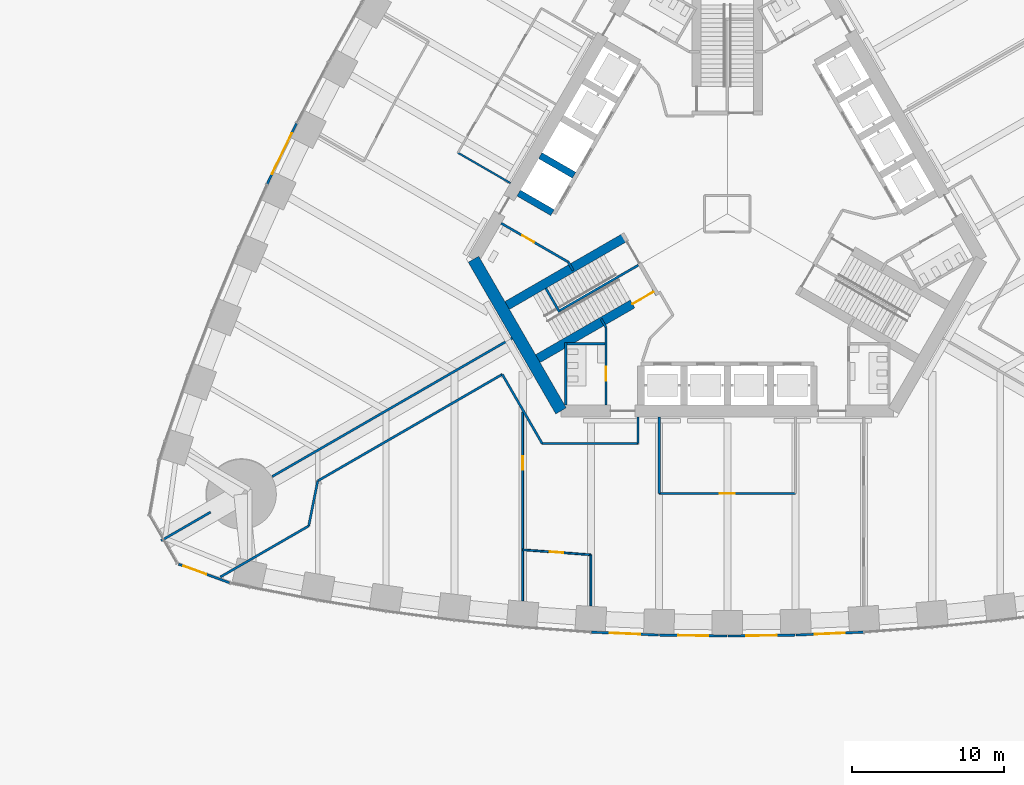
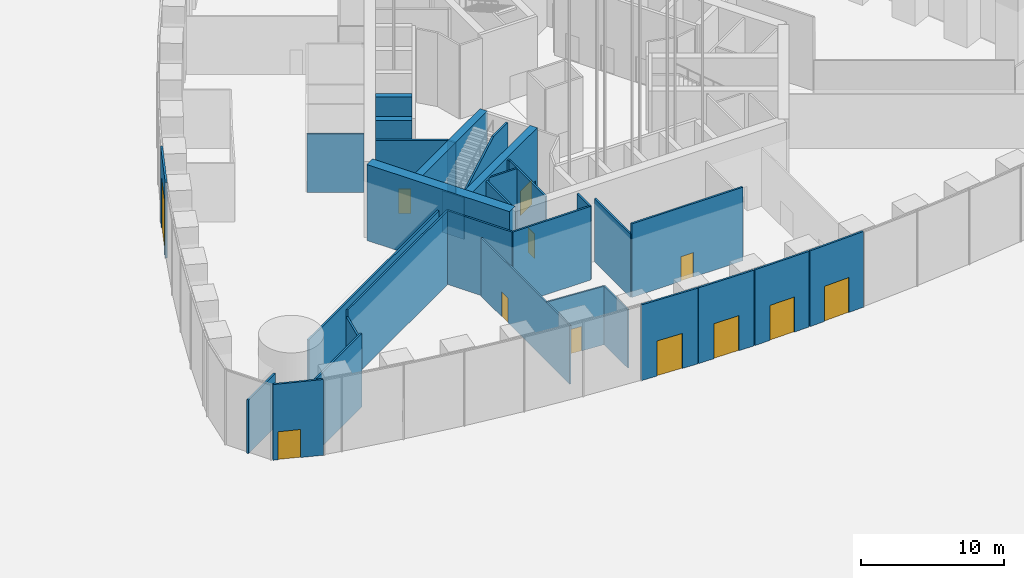
# One storey, part 16 of 43: 33 walls, 12 doors, 12 openings.
"""IFC4 building model written with IfcOpenShell, lengths in metres."""

from ifc_helpers import new_model, si_unit, direction, frame, frame_2d, origin, place, context, subcontext, project, spatial, polyline, rectangle, outline, extrude, material, layer, layer_set, type_object, element, fill, save


model = new_model("IFC4")

# Units and contexts
model_context = context("Model", 3, precision=1e-05, world=origin(), true_north=direction((0.0, 1.0)))
body_context = subcontext(model_context, "Body", "Model", "MODEL_VIEW")
ifc_project = project(units=[si_unit("LENGTHUNIT", "METRE"), si_unit("AREAUNIT", "SQUARE_METRE"), si_unit("VOLUMEUNIT", "CUBIC_METRE"), si_unit("PLANEANGLEUNIT", "RADIAN"), si_unit("MASSUNIT", "GRAM", prefix="KILO")], contexts=[model_context])

# Site, building, storey
site_placement = place(None, origin())
site = spatial("IfcSite", under=ifc_project, at=site_placement, CompositionType="ELEMENT")
building_placement = place(site_placement, origin())
building = spatial("IfcBuilding", under=site, at=building_placement, Name="Trefoil Bronze Tower", CompositionType="ELEMENT")
storey_placement = place(building_placement, origin())
storey = spatial("IfcBuildingStorey", under=building, at=storey_placement, Name="L00", CompositionType="ELEMENT", Elevation=0.0)

# Wall
ifc_material_1 = material(Name="Concrete B80", Category="concrete")
ifc_layer_1 = layer(ifc_material_1, 0.800048828125)
ifc_layer_set_1 = layer_set([ifc_layer_1], Name="Core wall 800")
wall_type_1 = type_object("IfcWallType", Name="Core wall 800", PredefinedType="SHEAR", material=ifc_layer_set_1)
wall_1_placement = place(storey_placement, frame((-16.7431640625, -3.0, 0.0), z_axis=(0.0, 0.0, 1.0), x_axis=(0.499995765644, -0.866027848477, 0.0)))
element("IfcWall", 1, at=wall_1_placement, inside=storey, type_object=wall_type_1, Name="Core short wall 3 L00", PredefinedType="SHEAR", context=body_context, shape_type="SweptSolid", body=[
    extrude(rectangle(XDim=11.546875, YDim=0.800048828125, at=frame_2d((5.7734375, 0.0))), origin(), (0.0, 0.0, 1.0), 6.5),
])

# Wall, opening, door
ifc_material_2 = material(Name="Bronze-framed glazed screen", Category="glass")
ifc_layer_2 = layer(ifc_material_2, 0.14990234375)
ifc_layer_set_2 = layer_set([ifc_layer_2], Name="Entrance screen 150")
wall_type_2 = type_object("IfcWallType", Name="Entrance screen 150", PredefinedType="SOLIDWALL", material=ifc_layer_set_2)
wall_2_placement = place(storey_placement, frame((-8.969482421875, -27.5888671875, 0.0), z_axis=(0.0, 0.0, 1.0), x_axis=(0.999053663589, -0.043494565978, 0.0)))
wall_2 = element("IfcWall", 2, at=wall_2_placement, inside=storey, type_object=wall_type_2, Name="Entrance screen CW-C L00 F1 bay 2", PredefinedType="SOLIDWALL", context=body_context, shape_type="SweptSolid", body=[
    extrude(rectangle(XDim=4.434326171875, YDim=0.14990234375, at=frame_2d((2.21728515625, 0.0))), origin(), (0.0, 0.0, 1.0), 6.47998046875),
])
opening_1_placement = place(wall_2_placement, frame((1.217041015625, 0.0, 0.0)))
opening_1 = element("IfcOpeningElement", 3, at=opening_1_placement, cuts=wall_2, Name="Opening DE1", PredefinedType="OPENING", context=body_context, shape_type="SweptSolid", body=[
    extrude(rectangle(XDim=2.0, YDim=3.0, at=frame_2d((1.0, 1.5))), frame((0.0, 0.0849609375, 0.0), z_axis=(0.0, -1.0, 0.0), x_axis=(1.0, 0.0, 0.0)), (0.0, 0.0, 1.0), 0.169921875),
])
ifc_material_3 = material(Name="Bronze-framed glass door", Category="glass")
door_type_1 = type_object("IfcDoorType", Name="Entrance door 2000", OperationType="DOUBLE_DOOR_DOUBLE_SWING", PredefinedType="DOOR", material=ifc_material_3)
door_1_placement = place(opening_1_placement, origin())
door_1 = element("IfcDoor", 4, at=door_1_placement, inside=storey, type_object=door_type_1, Name="Entrance door F1 L00", OperationType="DOUBLE_DOOR_DOUBLE_SWING", OverallHeight=3.0, OverallWidth=2.0, PredefinedType="DOOR", context=body_context, shape_type="SweptSolid", body=[
    extrude(rectangle(XDim=2.0, YDim=3.0, at=frame_2d((1.0, 1.5))), frame((0.0, 0.02490234375, 0.0), z_axis=(0.0, -1.0, 0.0), x_axis=(1.0, 0.0, 0.0)), (0.0, 0.0, 1.0), 0.050048828125),
])
fill(opening_1, door_1)

wall_3_placement = place(storey_placement, frame((-4.466552734375, -27.783935546875, 0.0), z_axis=(0.0, 0.0, 1.0), x_axis=(0.999894985015, -0.014492030258, 0.0)))
wall_3 = element("IfcWall", 5, at=wall_3_placement, inside=storey, type_object=wall_type_2, Name="Entrance screen CW-C L00 F1 bay 3", PredefinedType="SOLIDWALL", context=body_context, shape_type="SweptSolid", body=[
    extrude(rectangle(XDim=4.4306640625, YDim=0.14990234375, at=frame_2d((2.21533203125, 0.0))), origin(), (0.0, 0.0, 1.0), 6.47998046875),
])
opening_2_placement = place(wall_3_placement, frame((1.21533203125, 0.0, 0.0)))
opening_2 = element("IfcOpeningElement", 6, at=opening_2_placement, cuts=wall_3, Name="Opening DE1", PredefinedType="OPENING", context=body_context, shape_type="SweptSolid", body=[
    extrude(rectangle(XDim=2.0, YDim=3.0, at=frame_2d((1.0, 1.5))), frame((0.0, 0.0849609375, 0.0), z_axis=(0.0, -1.0, 0.0), x_axis=(1.0, 0.0, 0.0)), (0.0, 0.0, 1.0), 0.169921875),
])
door_2_placement = place(opening_2_placement, origin())
door_2 = element("IfcDoor", 7, at=door_2_placement, inside=storey, type_object=door_type_1, Name="Entrance door F1 L00", OperationType="DOUBLE_DOOR_DOUBLE_SWING", OverallHeight=3.0, OverallWidth=2.0, PredefinedType="DOOR", context=body_context, shape_type="SweptSolid", body=[
    extrude(rectangle(XDim=2.0, YDim=3.0, at=frame_2d((1.0, 1.5))), frame((0.0, 0.02490234375, 0.0), z_axis=(0.0, -1.0, 0.0), x_axis=(1.0, 0.0, 0.0)), (0.0, 0.0, 1.0), 0.050048828125),
])
fill(opening_2, door_2)

wall_4_placement = place(storey_placement, frame((0.036376953125, -27.84814453125, 0.0), z_axis=(0.0, 0.0, 1.0), x_axis=(0.999894985015, 0.014492030258, 0.0)))
wall_4 = element("IfcWall", 8, at=wall_4_placement, inside=storey, type_object=wall_type_2, Name="Entrance screen CW-C L00 F1 bay 4", PredefinedType="SOLIDWALL", context=body_context, shape_type="SweptSolid", body=[
    extrude(rectangle(XDim=4.4306640625, YDim=0.14990234375, at=frame_2d((2.21533203125, 0.0))), origin(), (0.0, 0.0, 1.0), 6.47998046875),
])
opening_3_placement = place(wall_4_placement, frame((1.21533203125, 0.0, 0.0)))
opening_3 = element("IfcOpeningElement", 9, at=opening_3_placement, cuts=wall_4, Name="Opening DE1", PredefinedType="OPENING", context=body_context, shape_type="SweptSolid", body=[
    extrude(rectangle(XDim=2.0, YDim=3.0, at=frame_2d((1.0, 1.5))), frame((0.0, 0.0849609375, 0.0), z_axis=(0.0, -1.0, 0.0), x_axis=(1.0, 0.0, 0.0)), (0.0, 0.0, 1.0), 0.169921875),
])
door_3_placement = place(opening_3_placement, origin())
door_3 = element("IfcDoor", 10, at=door_3_placement, inside=storey, type_object=door_type_1, Name="Entrance door F1 L00", OperationType="DOUBLE_DOOR_DOUBLE_SWING", OverallHeight=3.0, OverallWidth=2.0, PredefinedType="DOOR", context=body_context, shape_type="SweptSolid", body=[
    extrude(rectangle(XDim=2.0, YDim=3.0, at=frame_2d((1.0, 1.5))), frame((0.0, 0.02490234375, 0.0), z_axis=(0.0, -1.0, 0.0), x_axis=(1.0, 0.0, 0.0)), (0.0, 0.0, 1.0), 0.050048828125),
])
fill(opening_3, door_3)

wall_5_placement = place(storey_placement, frame((4.539306640625, -27.78173828125, 0.0), z_axis=(0.0, 0.0, 1.0), x_axis=(0.999053663589, 0.043494565978, 0.0)))
wall_5 = element("IfcWall", 11, at=wall_5_placement, inside=storey, type_object=wall_type_2, Name="Entrance screen CW-C L00 F1 bay 5", PredefinedType="SOLIDWALL", context=body_context, shape_type="SweptSolid", body=[
    extrude(rectangle(XDim=4.434326171875, YDim=0.14990234375, at=frame_2d((2.21728515625, 0.0))), origin(), (0.0, 0.0, 1.0), 6.47998046875),
])
opening_4_placement = place(wall_5_placement, frame((1.217041015625, 0.0, 0.0)))
opening_4 = element("IfcOpeningElement", 12, at=opening_4_placement, cuts=wall_5, Name="Opening DE1", PredefinedType="OPENING", context=body_context, shape_type="SweptSolid", body=[
    extrude(rectangle(XDim=2.0, YDim=3.0, at=frame_2d((1.0, 1.5))), frame((0.0, 0.0849609375, 0.0), z_axis=(0.0, -1.0, 0.0), x_axis=(1.0, 0.0, 0.0)), (0.0, 0.0, 1.0), 0.169921875),
])
door_4_placement = place(opening_4_placement, origin())
door_4 = element("IfcDoor", 13, at=door_4_placement, inside=storey, type_object=door_type_1, Name="Entrance door F1 L00", OperationType="DOUBLE_DOOR_DOUBLE_SWING", OverallHeight=3.0, OverallWidth=2.0, PredefinedType="DOOR", context=body_context, shape_type="SweptSolid", body=[
    extrude(rectangle(XDim=2.0, YDim=3.0, at=frame_2d((1.0, 1.5))), frame((0.0, 0.02490234375, 0.0), z_axis=(0.0, -1.0, 0.0), x_axis=(1.0, 0.0, 0.0)), (0.0, 0.0, 1.0), 0.050048828125),
])
fill(opening_4, door_4)

wall_6_placement = place(storey_placement, frame((-28.409912109375, 5.96142578125, 0.0), z_axis=(0.0, 0.0, 1.0), x_axis=(-0.435876976458, -0.900006256308, 0.0)))
wall_6 = element("IfcWall", 14, at=wall_6_placement, inside=storey, type_object=wall_type_2, Name="Entrance screen CW-C L00 F3 bay 4", PredefinedType="SOLIDWALL", context=body_context, shape_type="SweptSolid", body=[
    extrude(rectangle(XDim=4.441650390625, YDim=0.14990234375, at=frame_2d((2.220703125, 0.0))), origin(), (0.0, 0.0, 1.0), 6.47998046875),
])
opening_5_placement = place(wall_6_placement, frame((0.720947265625, 0.0, 0.0)))
opening_5 = element("IfcOpeningElement", 15, at=opening_5_placement, cuts=wall_6, Name="Opening DS1", PredefinedType="OPENING", context=body_context, shape_type="SweptSolid", body=[
    extrude(rectangle(XDim=3.0, YDim=4.5, at=frame_2d((1.5, 2.25))), frame((0.0, 0.0849609375, 0.0), z_axis=(0.0, -1.0, 0.0), x_axis=(1.0, 0.0, 0.0)), (0.0, 0.0, 1.0), 0.169921875),
])
ifc_material_4 = material(Name="Steel roller shutter", Category="steel")
door_type_2 = type_object("IfcDoorType", Name="Loading shutter 3000", OperationType="USERDEFINED", PredefinedType="USERDEFINED", material=ifc_material_4)
door_5_placement = place(opening_5_placement, origin())
door_5 = element("IfcDoor", 16, at=door_5_placement, inside=storey, type_object=door_type_2, Name="Loading shutter F3 L00", ObjectType="ROLLER SHUTTER", OperationType="USERDEFINED", OverallHeight=4.5, OverallWidth=3.0, PredefinedType="USERDEFINED", context=body_context, shape_type="SweptSolid", body=[
    extrude(rectangle(XDim=3.0, YDim=4.5, at=frame_2d((1.5, 2.25))), frame((0.0, 0.02490234375, 0.0), z_axis=(0.0, -1.0, 0.0), x_axis=(1.0, 0.0, 0.0)), (0.0, 0.0, 1.0), 0.050048828125),
])
fill(opening_5, door_5)

wall_7_placement = place(storey_placement, frame((-36.19189453125, -23.10693359375, 0.0), z_axis=(0.0, 0.0, 1.0), x_axis=(0.939683806401, -0.342044359678, 0.0)))
wall_7 = element("IfcWall", 17, at=wall_7_placement, inside=storey, type_object=wall_type_2, Name="Entrance screen CW-B L00 K3 exit bay", PredefinedType="SOLIDWALL", context=body_context, shape_type="SweptSolid", body=[
    extrude(rectangle(XDim=3.578125, YDim=0.14990234375, at=frame_2d((1.7890625, 0.0))), origin(), (0.0, 0.0, 1.0), 6.47998046875),
])
opening_6_placement = place(wall_7_placement, frame((0.35009765625, 0.0, 0.0)))
opening_6 = element("IfcOpeningElement", 18, at=opening_6_placement, cuts=wall_7, Name="Opening DE4", PredefinedType="OPENING", context=body_context, shape_type="SweptSolid", body=[
    extrude(rectangle(XDim=1.60009765625, YDim=2.39990234375, at=frame_2d((0.800048828125, 1.199951171875))), frame((0.0, 0.0849609375, 0.0), z_axis=(0.0, -1.0, 0.0), x_axis=(1.0, 0.0, 0.0)), (0.0, 0.0, 1.0), 0.169921875),
])
ifc_material_5 = material(Name="Bronze-framed glass door", Category="glass")
door_type_3 = type_object("IfcDoorType", Name="Final exit door 1600", OperationType="DOUBLE_DOOR_SINGLE_SWING", PredefinedType="DOOR", material=ifc_material_5)
door_6_placement = place(opening_6_placement, frame((1.60009765625, 0.0, 0.0), z_axis=(0.0, 0.0, 1.0), x_axis=(-1.0, 0.0, 0.0)))
door_6 = element("IfcDoor", 19, at=door_6_placement, inside=storey, type_object=door_type_3, Name="Final exit door ST3", OperationType="DOUBLE_DOOR_SINGLE_SWING", OverallHeight=2.39990234375, OverallWidth=1.60009765625, PredefinedType="DOOR", context=body_context, shape_type="SweptSolid", body=[
    extrude(rectangle(XDim=1.60009765625, YDim=2.39990234375, at=frame_2d((0.800048828125, 1.199951171875))), frame((0.0, 0.02490234375, 0.0), z_axis=(0.0, -1.0, 0.0), x_axis=(1.0, 0.0, 0.0)), (0.0, 0.0, 1.0), 0.050048828125),
])
fill(opening_6, door_6)

# Wall
ifc_material_6 = material(Name="Gypsum board on steel studs", Category="steel")
ifc_layer_3 = layer(ifc_material_6, 0.14990234375)
ifc_layer_set_3 = layer_set([ifc_layer_3], Name="Fire partition 150")
wall_type_3 = type_object("IfcWallType", Name="Fire partition 150", PredefinedType="PARTITIONING", material=ifc_layer_set_3)
wall_8_placement = place(storey_placement, frame((-4.5, -13.39990234375, 0.0), z_axis=(0.0, 0.0, 1.0), x_axis=(0.0, -1.0, 0.0)))
element("IfcWall", 20, at=wall_8_placement, inside=storey, type_object=wall_type_3, Name="Fire command centre wall", PredefinedType="PARTITIONING", context=body_context, shape_type="SweptSolid", body=[
    extrude(rectangle(XDim=5.050048828125, YDim=0.14990234375, at=frame_2d((2.52490234375, 0.0))), origin(), (0.0, 0.0, 1.0), 5.39990234375),
])

# Wall, opening, door
wall_9_placement = place(storey_placement, frame((-4.5, -18.449951171875, 0.0), z_axis=(0.0, 0.0, 1.0), x_axis=(1.0, 0.0, 0.0)))
wall_9 = element("IfcWall", 21, at=wall_9_placement, inside=storey, type_object=wall_type_3, Name="Fire command centre wall", PredefinedType="PARTITIONING", context=body_context, shape_type="SweptSolid", body=[
    extrude(rectangle(XDim=9.0, YDim=0.14990234375, at=frame_2d((4.5, 0.0))), origin(), (0.0, 0.0, 1.0), 6.300048828125),
])
opening_7_placement = place(wall_9_placement, frame((4.0, 0.0, 0.0)))
opening_7 = element("IfcOpeningElement", 22, at=opening_7_placement, cuts=wall_9, Name="Opening D5", PredefinedType="OPENING", context=body_context, shape_type="SweptSolid", body=[
    extrude(rectangle(XDim=1.0, YDim=2.10009765625, at=frame_2d((0.5, 1.050048828125))), frame((0.0, 0.0849609375, 0.0), z_axis=(0.0, -1.0, 0.0), x_axis=(1.0, 0.0, 0.0)), (0.0, 0.0, 1.0), 0.169921875),
])
ifc_material_7 = material(Name="Steel door", Category="steel")
door_type_4 = type_object("IfcDoorType", Name="Fire command centre door 1000", OperationType="SINGLE_SWING_LEFT", PredefinedType="DOOR", material=ifc_material_7)
door_7_placement = place(opening_7_placement, origin())
door_7 = element("IfcDoor", 23, at=door_7_placement, inside=storey, type_object=door_type_4, Name="Fire command centre door", OperationType="SINGLE_SWING_LEFT", OverallHeight=2.10009765625, OverallWidth=1.0, PredefinedType="DOOR", context=body_context, shape_type="SweptSolid", body=[
    extrude(rectangle(XDim=1.0, YDim=2.10009765625, at=frame_2d((0.5, 1.050048828125))), frame((0.0, 0.02490234375, 0.0), z_axis=(0.0, -1.0, 0.0), x_axis=(1.0, 0.0, 0.0)), (0.0, 0.0, 1.0), 0.050048828125),
])
fill(opening_7, door_7)

# Walls
wall_10_placement = place(storey_placement, frame((-5.867431640625, -3.387451171875, 0.0), z_axis=(0.0, 0.0, 1.0), x_axis=(-0.866014108153, -0.500019564097, 0.0)))
element("IfcWall", 24, at=wall_10_placement, inside=storey, type_object=wall_type_3, Name="Basement stair partition ST3", PredefinedType="PARTITIONING", context=body_context, shape_type="SweptSolid", body=[
    extrude(outline(polyline([(0.0, 0.0), (5.974853515625, 0.0), (5.97509765625, 4.013916015625), (1.9658203125, 6.300048828125), (0.0, 6.300048828125), (0.0, 0.0)])), frame((0.0, 0.074951171875, 0.0), z_axis=(0.0, -1.0, 0.0), x_axis=(1.0, 0.0, 0.0)), (0.0, 0.0, 1.0), 0.14990234375),
])
wall_11_placement = place(storey_placement, frame((-11.96923828125, -4.918701171875, 0.0), z_axis=(0.0, 0.0, 1.0), x_axis=(0.499961193289, -0.866047807691, 0.0)))
element("IfcWall", 25, at=wall_11_placement, inside=storey, type_object=wall_type_3, Name="Basement stair partition ST3", PredefinedType="PARTITIONING", context=body_context, shape_type="SweptSolid", body=[
    extrude(rectangle(XDim=1.800048828125, YDim=0.14990234375, at=frame_2d((0.89990234375, 0.0))), origin(), (0.0, 0.0, 1.0), 3.57470703125),
])
wall_12_placement = place(storey_placement, frame((-5.89990234375, -13.39990234375, 0.0), z_axis=(0.0, 0.0, 1.0), x_axis=(0.0, -1.0, 0.0)))
element("IfcWall", 26, at=wall_12_placement, inside=storey, type_object=wall_type_3, Name="Exit passage wall ST3", PredefinedType="PARTITIONING", context=body_context, shape_type="SweptSolid", body=[
    extrude(rectangle(XDim=1.75, YDim=0.14990234375, at=frame_2d((0.875, 0.0))), origin(), (0.0, 0.0, 1.0), 6.300048828125),
])
wall_13_placement = place(storey_placement, frame((-5.89990234375, -15.14990234375, 0.0), z_axis=(0.0, 0.0, 1.0), x_axis=(-1.0, 0.0, 0.0)))
element("IfcWall", 27, at=wall_13_placement, inside=storey, type_object=wall_type_3, Name="Exit passage wall ST3", PredefinedType="PARTITIONING", context=body_context, shape_type="SweptSolid", body=[
    extrude(rectangle(XDim=6.31103515625, YDim=0.14990234375, at=frame_2d((3.155517578125, 0.0))), origin(), (0.0, 0.0, 1.0), 6.300048828125),
])
wall_14_placement = place(storey_placement, frame((-12.2109375, -15.14990234375, 0.0), z_axis=(0.0, 0.0, 1.0), x_axis=(-0.499999433879, 0.866025730634, 0.0)))
element("IfcWall", 28, at=wall_14_placement, inside=storey, type_object=wall_type_3, Name="Exit passage wall ST3", PredefinedType="PARTITIONING", context=body_context, shape_type="SweptSolid", body=[
    extrude(rectangle(XDim=5.2646484375, YDim=0.14990234375, at=frame_2d((2.63232421875, 0.0))), origin(), (0.0, 0.0, 1.0), 6.300048828125),
])
wall_15_placement = place(storey_placement, frame((-14.84326171875, -10.590576171875, 0.0), z_axis=(0.0, 0.0, 1.0), x_axis=(-0.86602961784, -0.499992700971, 0.0)))
element("IfcWall", 29, at=wall_15_placement, inside=storey, type_object=wall_type_3, Name="Exit passage wall ST3", PredefinedType="PARTITIONING", context=body_context, shape_type="SweptSolid", body=[
    extrude(rectangle(XDim=14.050048828125, YDim=0.14990234375, at=frame_2d((7.02490234375, 0.0))), origin(), (0.0, 0.0, 1.0), 6.300048828125),
])
wall_16_placement = place(storey_placement, frame((-27.010986328125, -17.615478515625, 0.0), z_axis=(0.0, 0.0, 1.0), x_axis=(-0.196255629336, -0.980552766532, 0.0)))
element("IfcWall", 30, at=wall_16_placement, inside=storey, type_object=wall_type_3, Name="Exit passage wall ST3", PredefinedType="PARTITIONING", context=body_context, shape_type="SweptSolid", body=[
    extrude(rectangle(XDim=3.029052734375, YDim=0.14990234375, at=frame_2d((1.5146484375, 0.0))), origin(), (0.0, 0.0, 1.0), 5.699951171875),
])
wall_17_placement = place(storey_placement, frame((-27.60546875, -20.585693359375, 0.0), z_axis=(0.0, 0.0, 1.0), x_axis=(-0.866029136921, -0.499993533961, 0.0)))
element("IfcWall", 31, at=wall_17_placement, inside=storey, type_object=wall_type_3, Name="Exit passage wall ST3", PredefinedType="PARTITIONING", context=body_context, shape_type="SweptSolid", body=[
    extrude(rectangle(XDim=6.73046875, YDim=0.14990234375, at=frame_2d((3.365234375, 0.0))), origin(), (0.0, 0.0, 1.0), 6.300048828125),
])

# Wall, opening, door
ifc_material_8 = material(Name="Glazed partition", Category="glass")
ifc_layer_4 = layer(ifc_material_8, 0.1201171875)
ifc_layer_set_4 = layer_set([ifc_layer_4], Name="Glazed partition 120")
wall_type_4 = type_object("IfcWallType", Name="Glazed partition 120", PredefinedType="PARTITIONING", material=ifc_layer_set_4)
wall_18_placement = place(storey_placement, frame((-13.5, -22.159912109375, 0.0), z_axis=(0.0, 0.0, 1.0), x_axis=(0.997363894896, -0.072562119306, 0.0)))
wall_18 = element("IfcWall", 32, at=wall_18_placement, inside=storey, type_object=wall_type_4, Name="Partition F1 L00", PredefinedType="PARTITIONING", context=body_context, shape_type="SweptSolid", body=[
    extrude(rectangle(XDim=4.511962890625, YDim=0.1201171875, at=frame_2d((2.255859375, 0.0))), origin(), (0.0, 0.0, 1.0), 5.0),
])
opening_8_placement = place(wall_18_placement, frame((1.800048828125, 0.0, 0.0)))
opening_8 = element("IfcOpeningElement", 33, at=opening_8_placement, cuts=wall_18, Name="Opening D8", PredefinedType="OPENING", context=body_context, shape_type="SweptSolid", body=[
    extrude(rectangle(XDim=0.89990234375, YDim=2.10009765625, at=frame_2d((0.449951171875, 1.050048828125))), frame((0.0, 0.070068359375, 0.0), z_axis=(0.0, -1.0, 0.0), x_axis=(1.0, 0.0, 0.0)), (0.0, 0.0, 1.0), 0.14013671875),
])
ifc_material_9 = material(Name="Timber door", Category="wood")
door_type_5 = type_object("IfcDoorType", Name="Office door 900", OperationType="SINGLE_SWING_LEFT", PredefinedType="DOOR", material=ifc_material_9)
door_8_placement = place(opening_8_placement, frame((0.89990234375, 0.0, 0.0), z_axis=(0.0, 0.0, 1.0), x_axis=(-1.0, 0.0, 0.0)))
door_8 = element("IfcDoor", 34, at=door_8_placement, inside=storey, type_object=door_type_5, Name="Security control room door F1 L00", OperationType="SINGLE_SWING_RIGHT", OverallHeight=2.10009765625, OverallWidth=0.89990234375, PredefinedType="DOOR", context=body_context, shape_type="SweptSolid", body=[
    extrude(rectangle(XDim=0.89990234375, YDim=2.10009765625, at=frame_2d((0.449951171875, 1.050048828125))), frame((0.0, 0.02490234375, 0.0), z_axis=(0.0, -1.0, 0.0), x_axis=(1.0, 0.0, 0.0)), (0.0, 0.0, 1.0), 0.050048828125),
])
fill(opening_8, door_8)

wall_19_placement = place(storey_placement, frame((-13.5, -13.08740234375, 0.0), z_axis=(0.0, 0.0, 1.0), x_axis=(0.0, -1.0, 0.0)))
wall_19 = element("IfcWall", 35, at=wall_19_placement, inside=storey, type_object=wall_type_4, Name="Partition F1 L00", PredefinedType="PARTITIONING", context=body_context, shape_type="SweptSolid", body=[
    extrude(rectangle(XDim=12.4365234375, YDim=0.1201171875, at=frame_2d((6.21826171875, 0.0))), origin(), (0.0, 0.0, 1.0), 5.0),
])
opening_9_placement = place(wall_19_placement, frame((2.89990234375, 0.0, 0.0)))
opening_9 = element("IfcOpeningElement", 36, at=opening_9_placement, cuts=wall_19, Name="Opening D8", PredefinedType="OPENING", context=body_context, shape_type="SweptSolid", body=[
    extrude(rectangle(XDim=0.89990234375, YDim=2.10009765625, at=frame_2d((0.449951171875, 1.050048828125))), frame((0.0, 0.070068359375, 0.0), z_axis=(0.0, -1.0, 0.0), x_axis=(1.0, 0.0, 0.0)), (0.0, 0.0, 1.0), 0.14013671875),
])
door_9_placement = place(opening_9_placement, frame((0.89990234375, 0.0, 0.0), z_axis=(0.0, 0.0, 1.0), x_axis=(-1.0, 0.0, 0.0)))
door_9 = element("IfcDoor", 37, at=door_9_placement, inside=storey, type_object=door_type_5, Name="Building management office door F1 L00", OperationType="SINGLE_SWING_RIGHT", OverallHeight=2.10009765625, OverallWidth=0.89990234375, PredefinedType="DOOR", context=body_context, shape_type="SweptSolid", body=[
    extrude(rectangle(XDim=0.89990234375, YDim=2.10009765625, at=frame_2d((0.449951171875, 1.050048828125))), frame((0.0, 0.02490234375, 0.0), z_axis=(0.0, -1.0, 0.0), x_axis=(1.0, 0.0, 0.0)), (0.0, 0.0, 1.0), 0.050048828125),
])
fill(opening_9, door_9)

# Walls
wall_20_placement = place(storey_placement, frame((-9.0, -22.4873046875, 0.0), z_axis=(0.0, 0.0, 1.0), x_axis=(0.0, -1.0, 0.0)))
element("IfcWall", 38, at=wall_20_placement, inside=storey, type_object=wall_type_4, Name="Partition F1 L00", PredefinedType="PARTITIONING", context=body_context, shape_type="SweptSolid", body=[
    extrude(rectangle(XDim=3.367431640625, YDim=0.1201171875, at=frame_2d((1.68359375, 0.0))), origin(), (0.0, 0.0, 1.0), 5.0),
])
wall_21_placement = place(storey_placement, frame((-14.3046875, 2.0234375, 0.0), z_axis=(0.0, 0.0, 1.0), x_axis=(-0.866026010844, 0.49999894854, 0.0)))
element("IfcWall", 39, at=wall_21_placement, inside=storey, type_object=wall_type_4, Name="Partition F3 L00", PredefinedType="PARTITIONING", context=body_context, shape_type="SweptSolid", body=[
    extrude(rectangle(XDim=4.0, YDim=0.1201171875, at=frame_2d((2.0, 0.0))), origin(), (0.0, 0.0, 1.0), 5.0),
])
ifc_material_10 = material(Name="Concrete B80", Category="concrete")
ifc_layer_5 = layer(ifc_material_10, 0.449951171875)
ifc_layer_set_5 = layer_set([ifc_layer_5], Name="Outrigger shaft wall 450")
wall_type_5 = type_object("IfcWallType", Name="Outrigger shaft wall 450", PredefinedType="SHEAR", material=ifc_layer_set_5)
for number, where, z_axis, x_axis, name in (
    (40, (-10.10693359375, 2.54443359375, 0.0), (0.0, 0.0, 1.0), (-0.866046643894, 0.499963209246, 0.0), "Lift shaft side wall C3 L00"),
    (41, (-11.531982421875, 0.076171875, 0.0), (0.0, 0.0, 1.0), (-0.866005588531, 0.500034319456, 0.0), "Lift shaft side wall C4 L00"),
):
    element("IfcWall", number, at=place(storey_placement, frame(where, z_axis=z_axis, x_axis=x_axis)), inside=storey, type_object=wall_type_5, Name=name, PredefinedType="SHEAR", context=body_context, shape_type="SweptSolid", body=[
        extrude(rectangle(XDim=2.574951171875, YDim=0.449951171875, at=frame_2d((1.28759765625, 0.0))), origin(), (0.0, 0.0, 1.0), 6.5),
    ])

# Wall, opening, door
ifc_material_11 = material(Name="Gypsum board on steel studs", Category="steel")
ifc_layer_6 = layer(ifc_material_11, 0.14990234375)
ifc_layer_set_6 = layer_set([ifc_layer_6], Name="Partition 150")
wall_type_6 = type_object("IfcWallType", Name="Partition 150", PredefinedType="PARTITIONING", material=ifc_layer_set_6)
wall_22_placement = place(storey_placement, frame((-8.0, -7.5, 0.0), z_axis=(0.0, 0.0, 1.0), x_axis=(0.0, -1.0, 0.0)))
wall_22 = element("IfcWall", 42, at=wall_22_placement, inside=storey, type_object=wall_type_6, Name="Passage wall F1- L00", PredefinedType="PARTITIONING", context=body_context, shape_type="SweptSolid", body=[
    extrude(rectangle(XDim=5.10009765625, YDim=0.14990234375, at=frame_2d((2.550048828125, 0.0))), origin(), (0.0, 0.0, 1.0), 6.300048828125),
])
opening_10_placement = place(wall_22_placement, frame((2.60009765625, 0.0, 0.0)))
opening_10 = element("IfcOpeningElement", 43, at=opening_10_placement, cuts=wall_22, Name="Opening D3", PredefinedType="OPENING", context=body_context, shape_type="SweptSolid", body=[
    extrude(rectangle(XDim=0.89990234375, YDim=2.10009765625, at=frame_2d((0.449951171875, 1.050048828125))), frame((0.0, 0.0849609375, 0.0), z_axis=(0.0, -1.0, 0.0), x_axis=(1.0, 0.0, 0.0)), (0.0, 0.0, 1.0), 0.169921875),
])
ifc_material_12 = material(Name="Timber door", Category="wood")
door_type_6 = type_object("IfcDoorType", Name="WC door 900", OperationType="SINGLE_SWING_LEFT", PredefinedType="DOOR", material=ifc_material_12)
door_10_placement = place(opening_10_placement, frame((0.89990234375, 0.0, 0.0), z_axis=(0.0, 0.0, 1.0), x_axis=(-1.0, 0.0, 0.0)))
door_10 = element("IfcDoor", 44, at=door_10_placement, inside=storey, type_object=door_type_6, Name="WC (women) door L00", OperationType="SINGLE_SWING_RIGHT", OverallHeight=2.10009765625, OverallWidth=0.89990234375, PredefinedType="DOOR", context=body_context, shape_type="SweptSolid", body=[
    extrude(rectangle(XDim=0.89990234375, YDim=2.10009765625, at=frame_2d((0.449951171875, 1.050048828125))), frame((0.0, 0.02490234375, 0.0), z_axis=(0.0, -1.0, 0.0), x_axis=(1.0, 0.0, 0.0)), (0.0, 0.0, 1.0), 0.050048828125),
])
fill(opening_10, door_10)

wall_23_placement = place(storey_placement, frame((-10.4951171875, -3.17822265625, 0.0), z_axis=(0.0, 0.0, 1.0), x_axis=(-0.86602216432, 0.500005610874, 0.0)))
wall_23 = element("IfcWall", 45, at=wall_23_placement, inside=storey, type_object=wall_type_6, Name="Passage wall F3+ L00", PredefinedType="PARTITIONING", context=body_context, shape_type="SweptSolid", body=[
    extrude(rectangle(XDim=5.10009765625, YDim=0.14990234375, at=frame_2d((2.550048828125, 0.0))), origin(), (0.0, 0.0, 1.0), 6.300048828125),
])
opening_11_placement = place(wall_23_placement, frame((2.60009765625, 0.0, 0.0)))
opening_11 = element("IfcOpeningElement", 46, at=opening_11_placement, cuts=wall_23, Name="Opening D3", PredefinedType="OPENING", context=body_context, shape_type="SweptSolid", body=[
    extrude(rectangle(XDim=0.89990234375, YDim=2.10009765625, at=frame_2d((0.449951171875, 1.050048828125))), frame((0.0, 0.0849609375, 0.0), z_axis=(0.0, -1.0, 0.0), x_axis=(1.0, 0.0, 0.0)), (0.0, 0.0, 1.0), 0.169921875),
])
door_11_placement = place(opening_11_placement, origin())
door_11 = element("IfcDoor", 47, at=door_11_placement, inside=storey, type_object=door_type_6, Name="Accessible WC door L00", OperationType="SINGLE_SWING_RIGHT", OverallHeight=2.10009765625, OverallWidth=0.89990234375, PredefinedType="DOOR", context=body_context, shape_type="SweptSolid", body=[
    extrude(rectangle(XDim=0.89990234375, YDim=2.10009765625, at=frame_2d((0.449951171875, 1.050048828125))), frame((0.0, 0.02490234375, 0.0), z_axis=(0.0, -1.0, 0.0), x_axis=(1.0, 0.0, 0.0)), (0.0, 0.0, 1.0), 0.050048828125),
])
fill(opening_11, door_11)

# Walls
for number, where, z_axis, x_axis, name in (
    (48, (-10.4951171875, -3.17822265625, 0.0), (0.0, 0.0, 1.0), (0.499842556608, -0.866116284689, 0.0), "WC wall ST3-1 L00"),
    (49, (-8.0, -7.5, 0.0), (0.0, 0.0, 1.0), (-0.499842556608, 0.866116284689, 0.0), "WC wall ST3+1 L00"),
):
    element("IfcWall", number, at=place(storey_placement, frame(where, z_axis=z_axis, x_axis=x_axis)), inside=storey, type_object=wall_type_6, Name=name, PredefinedType="PARTITIONING", context=body_context, shape_type="SweptSolid", body=[
        extrude(rectangle(XDim=0.645263671875, YDim=0.14990234375, at=frame_2d((0.32275390625, 0.0))), origin(), (0.0, 0.0, 1.0), 6.300048828125),
    ])
wall_24_placement = place(storey_placement, frame((-10.659912109375, -8.5, 0.0), z_axis=(0.0, 0.0, 1.0), x_axis=(0.0, -1.0, 0.0)))
element("IfcWall", 50, at=wall_24_placement, inside=storey, type_object=wall_type_6, Name="WC partition WC (women) L00", PredefinedType="PARTITIONING", context=body_context, shape_type="SweptSolid", body=[
    extrude(rectangle(XDim=4.10009765625, YDim=0.14990234375, at=frame_2d((2.050048828125, 0.0))), origin(), (0.0, 0.0, 1.0), 6.300048828125),
])
wall_25_placement = place(storey_placement, frame((-8.074951171875, -8.574951171875, 0.0), z_axis=(0.0, 0.0, 1.0), x_axis=(-1.0, 0.0, 0.0)))
element("IfcWall", 51, at=wall_25_placement, inside=storey, type_object=wall_type_6, Name="WC partition WC (women) L00", PredefinedType="PARTITIONING", context=body_context, shape_type="SweptSolid", body=[
    extrude(rectangle(XDim=2.510009765625, YDim=0.14990234375, at=frame_2d((1.2548828125, 0.0))), origin(), (0.0, 0.0, 1.0), 6.300048828125),
])
ifc_material_13 = material(Name="Gypsum board on steel studs", Category="steel")
ifc_layer_7 = layer(ifc_material_13, 0.14990234375)
ifc_layer_set_7 = layer_set([ifc_layer_7], Name="Party wall 150")
wall_type_7 = type_object("IfcWallType", Name="Party wall 150", PredefinedType="PARTITIONING", material=ifc_layer_set_7)
wall_26_placement = place(storey_placement, frame((-14.202880859375, -8.199951171875, 0.0), z_axis=(0.0, 0.0, 1.0), x_axis=(-0.866024965723, -0.500000758745, 0.0)))
element("IfcWall", 52, at=wall_26_placement, inside=storey, type_object=wall_type_7, Name="Party wall K3 L00", PredefinedType="PARTITIONING", context=body_context, shape_type="SweptSolid", body=[
    extrude(rectangle(XDim=18.25, YDim=0.14990234375, at=frame_2d((9.125, 0.0))), origin(), (0.0, 0.0, 1.0), 4.60009765625),
])
wall_27_placement = place(storey_placement, frame((-34.078125, -19.675048828125, 0.0), z_axis=(0.0, 0.0, 1.0), x_axis=(-0.866019247219, -0.500010663332, 0.0)))
element("IfcWall", 53, at=wall_27_placement, inside=storey, type_object=wall_type_7, Name="Party wall K3 L00", PredefinedType="PARTITIONING", context=body_context, shape_type="SweptSolid", body=[
    extrude(rectangle(XDim=3.76416015625, YDim=0.14990234375, at=frame_2d((1.882080078125, 0.0))), origin(), (0.0, 0.0, 1.0), 4.60009765625),
])
ifc_material_14 = material(Name="Concrete B80", Category="concrete")
ifc_layer_8 = layer(ifc_material_14, 0.60009765625)
ifc_layer_set_8 = layer_set([ifc_layer_8], Name="Stair wall 600")
wall_type_8 = type_object("IfcWallType", Name="Stair wall 600", PredefinedType="SHEAR", material=ifc_layer_set_8)
wall_28_placement = place(storey_placement, frame((-6.663330078125, -1.5087890625, 0.0), z_axis=(0.0, 0.0, 1.0), x_axis=(-0.866019375473, -0.500010441196, 0.0)))
element("IfcWall", 54, at=wall_28_placement, inside=storey, type_object=wall_type_8, Name="Stair wall ST3 L00", PredefinedType="SHEAR", context=body_context, shape_type="SweptSolid", body=[
    extrude(rectangle(XDim=9.074951171875, YDim=0.60009765625, at=frame_2d((4.53759765625, 0.0))), origin(), (0.0, 0.0, 1.0), 6.5),
])

# Wall, opening, door
wall_29_placement = place(storey_placement, frame((-4.638427734375, -5.01611328125, 0.0), z_axis=(0.0, 0.0, 1.0), x_axis=(-0.866019375473, -0.500010441196, 0.0)))
wall_29 = element("IfcWall", 55, at=wall_29_placement, inside=storey, type_object=wall_type_8, Name="Stair wall ST3 L00", PredefinedType="SHEAR", context=body_context, shape_type="SweptSolid", body=[
    extrude(rectangle(XDim=9.074951171875, YDim=0.60009765625, at=frame_2d((4.53759765625, 0.0))), origin(), (0.0, 0.0, 1.0), 6.5),
])
opening_12_placement = place(wall_29_placement, frame((0.264892578125, 0.0, 0.0)))
opening_12 = element("IfcOpeningElement", 56, at=opening_12_placement, cuts=wall_29, Name="Opening D1", PredefinedType="OPENING", context=body_context, shape_type="SweptSolid", body=[
    extrude(rectangle(XDim=1.60009765625, YDim=2.10009765625, at=frame_2d((0.800048828125, 1.050048828125))), frame((0.0, 0.31005859375, 0.0), z_axis=(0.0, -1.0, 0.0), x_axis=(1.0, 0.0, 0.0)), (0.0, 0.0, 1.0), 0.6201171875),
])
ifc_material_15 = material(Name="Steel door", Category="steel")
door_type_7 = type_object("IfcDoorType", Name="Stair door 1600", OperationType="DOUBLE_DOOR_SINGLE_SWING", PredefinedType="DOOR", material=ifc_material_15)
door_12_placement = place(opening_12_placement, origin())
door_12 = element("IfcDoor", 57, at=door_12_placement, inside=storey, type_object=door_type_7, Name="Stair exit door ST3", OperationType="DOUBLE_DOOR_SINGLE_SWING", OverallHeight=2.10009765625, OverallWidth=1.60009765625, PredefinedType="DOOR", context=body_context, shape_type="SweptSolid", body=[
    extrude(rectangle(XDim=1.60009765625, YDim=2.10009765625, at=frame_2d((0.800048828125, 1.050048828125))), frame((0.0, 0.02490234375, 0.0), z_axis=(0.0, -1.0, 0.0), x_axis=(1.0, 0.0, 0.0)), (0.0, 0.0, 1.0), 0.050048828125),
])
fill(opening_12, door_12)

save(model, "model.ifc")
